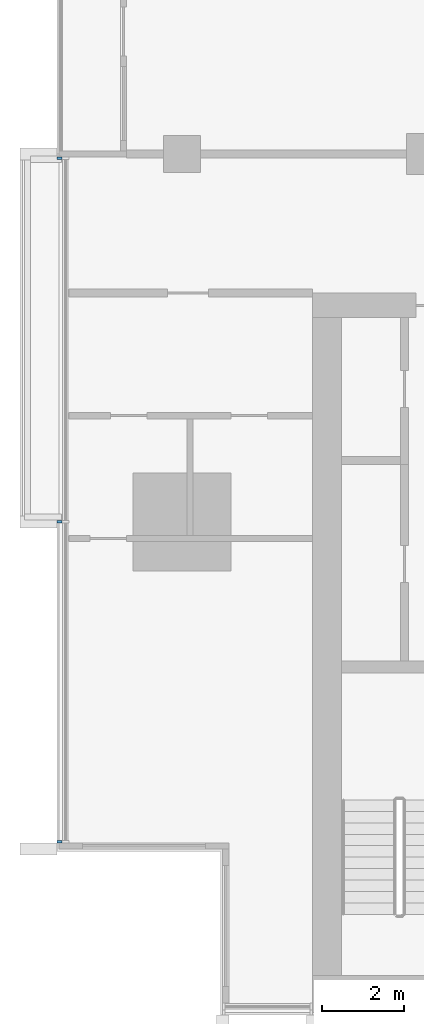
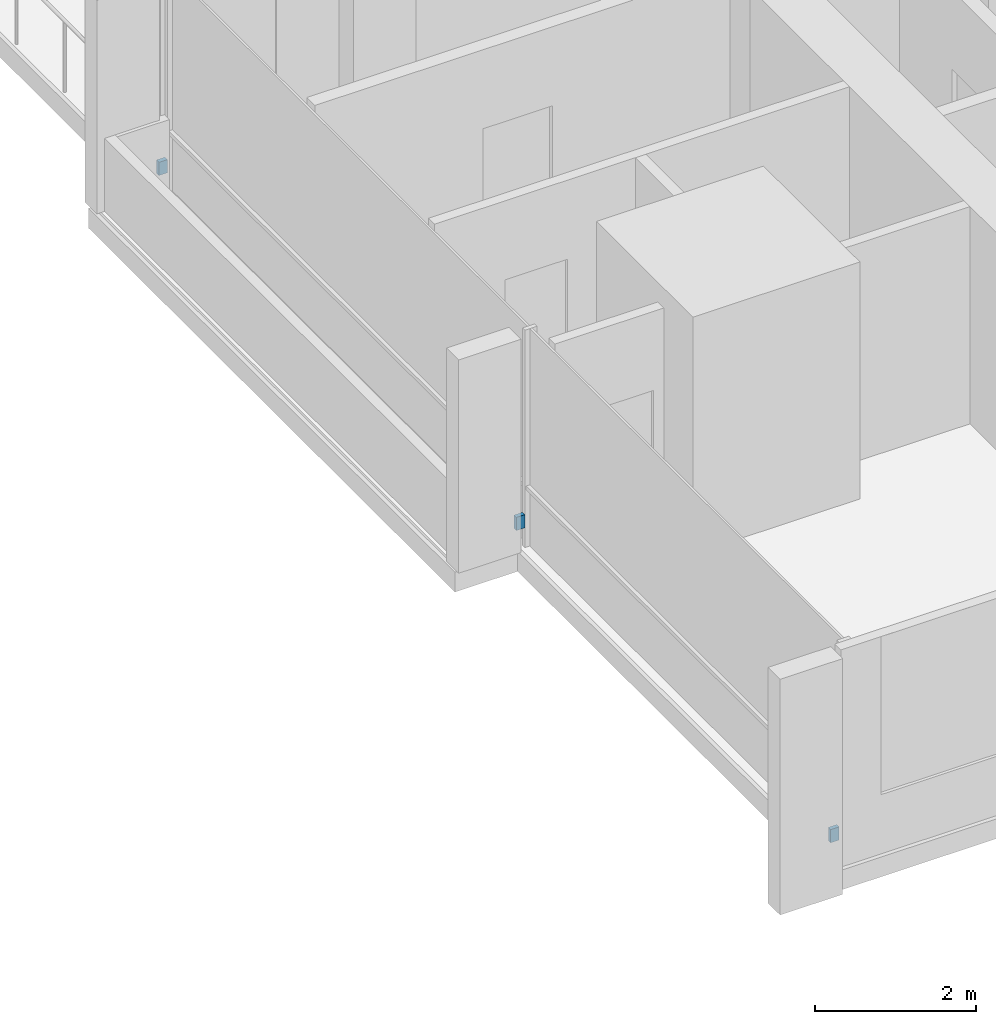
# One storey, part 13 of 17: 3 discrete accessories.
"""IFC4 building model written with IfcOpenShell, lengths in metres."""

from ifc_helpers import new_model, si_unit, direction, frame, origin, origin_2d, place, context, subcontext, project, spatial, rectangle, extrude, material, type_object, element, save


model = new_model("IFC4")

# Units and contexts
model_context = context("Model", 3, precision=1e-05, world=origin(), true_north=direction((0.0, 1.0)))
body_context = subcontext(model_context, "Body", "Model", "MODEL_VIEW")
ifc_project = project(units=[si_unit("LENGTHUNIT", "METRE"), si_unit("AREAUNIT", "SQUARE_METRE"), si_unit("VOLUMEUNIT", "CUBIC_METRE"), si_unit("PLANEANGLEUNIT", "RADIAN"), si_unit("MASSUNIT", "GRAM", prefix="KILO")], contexts=[model_context])

# Site, building, storey
site_placement = place(None, origin())
site = spatial("IfcSite", under=ifc_project, at=site_placement, CompositionType="ELEMENT")
building_placement = place(site_placement, origin())
building = spatial("IfcBuilding", under=site, at=building_placement, Name="Finial Court Residences", CompositionType="ELEMENT")
storey_placement = place(building_placement, frame((0.0, 0.0, 167.300048828125)))
storey = spatial("IfcBuildingStorey", under=building, at=storey_placement, Name="L41", CompositionType="ELEMENT", Elevation=167.300048828125)

# Discrete accessories
ifc_material = material(Name="Stainless steel 316", Category="steel")
discrete_accessory_type = type_object("IfcDiscreteAccessoryType", Name="Fin bracket, stainless steel 60 x 122 x 200", PredefinedType="BRACKET", material=ifc_material)
for number, where, z_axis, x_axis, name in (
    (1, (-19.498779296875, -21.320068359375, 0.2998046875), (0.0, 0.0, 1.0), (1.0, 0.0, 0.0), "E-L41-FIN-W22-BRK"),
    (2, (-19.498779296875, -13.5, 0.2998046875), (0.0, 0.0, 1.0), (1.0, 0.0, 0.0), "E-L41-FIN-W23-BRK"),
    (3, (-19.498779296875, -4.60498046875, 0.2998046875), (0.0, 0.0, 1.0), (1.0, 0.0, 0.0), "E-L41-FIN-W24-BRK"),
):
    element("IfcDiscreteAccessory", number, at=place(storey_placement, frame(where, z_axis=z_axis, x_axis=x_axis)), inside=storey, type_object=discrete_accessory_type, Name=name, PredefinedType="BRACKET", context=body_context, shape_type="SweptSolid", body=[
        extrude(rectangle(XDim=0.12255859375, YDim=0.06005859375, at=origin_2d()), origin(), (0.0, 0.0, 1.0), 0.199951171875),
    ])

save(model, "model.ifc")
